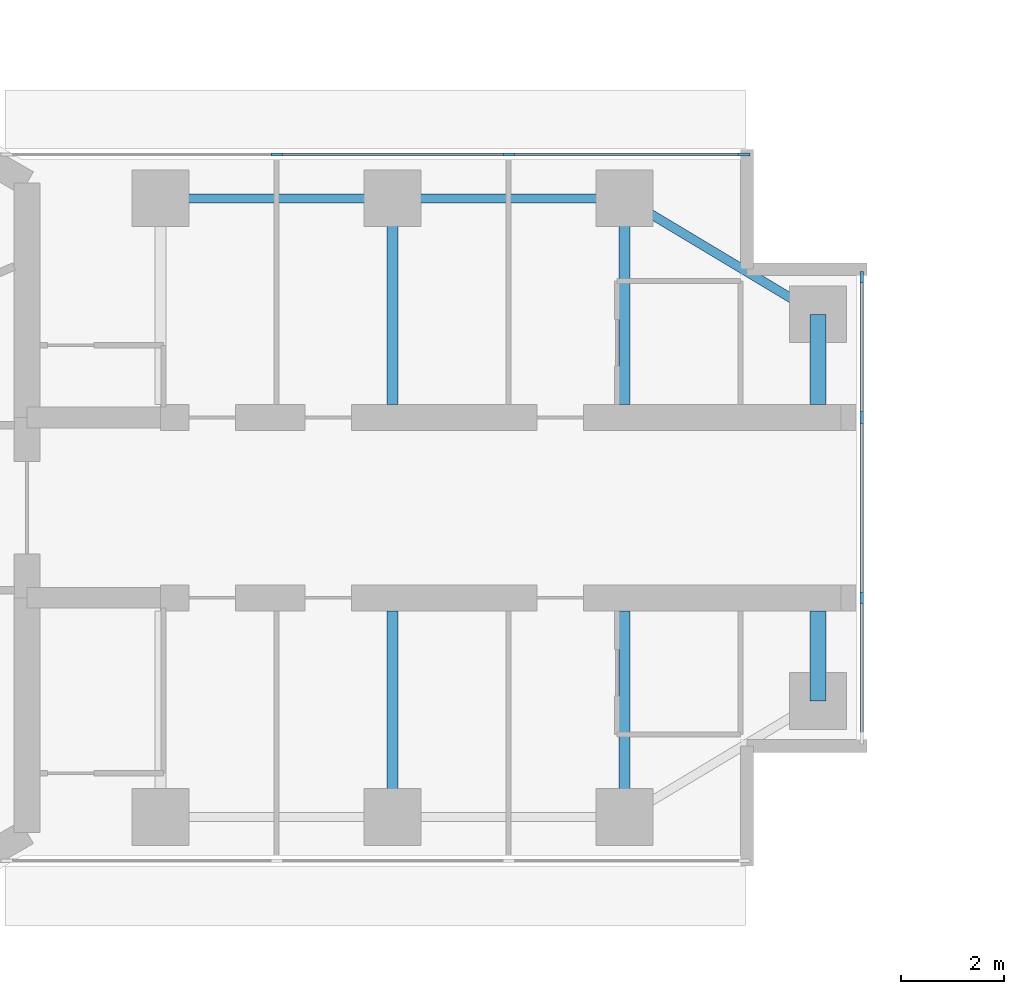
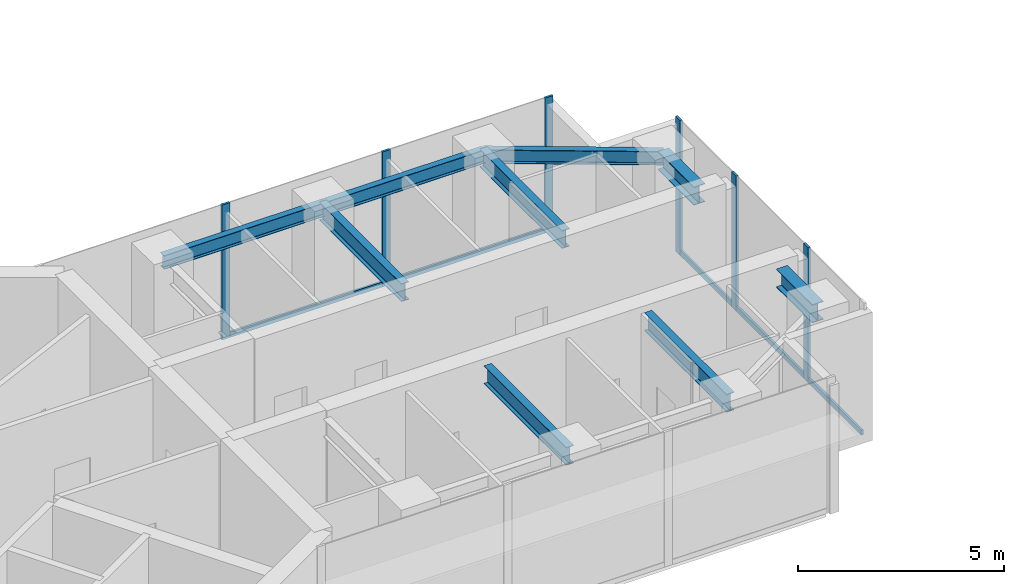
# One storey, part 7 of 18: 11 members, 9 beams, 2 elements without a shape of their own.
"""IFC4 building model written with IfcOpenShell, lengths in metres."""

from ifc_helpers import new_model, si_unit, direction, frame, origin, origin_2d, place, context, subcontext, project, spatial, rectangle, i_section, extrude, material, material_profile, profile_set, type_object, element, aggregate, save


model = new_model("IFC4")

# Units and contexts
model_context = context("Model", 3, precision=1e-05, world=origin(), true_north=direction((0.0, 1.0)))
body_context = subcontext(model_context, "Body", "Model", "MODEL_VIEW")
ifc_project = project(units=[si_unit("LENGTHUNIT", "METRE"), si_unit("AREAUNIT", "SQUARE_METRE"), si_unit("VOLUMEUNIT", "CUBIC_METRE"), si_unit("PLANEANGLEUNIT", "RADIAN"), si_unit("MASSUNIT", "GRAM", prefix="KILO")], contexts=[model_context])

# Site, building, storey
site_placement = place(None, origin())
site = spatial("IfcSite", under=ifc_project, at=site_placement, CompositionType="ELEMENT")
building_placement = place(site_placement, origin())
building = spatial("IfcBuilding", under=site, at=building_placement, Name="Upepo Twin Towers", CompositionType="ELEMENT")
storey_placement = place(building_placement, frame((0.0, 0.0, 218.5)))
storey = spatial("IfcBuildingStorey", under=building, at=storey_placement, Name="L53", CompositionType="ELEMENT", Elevation=218.5)

# Beams
ifc_material_1 = material(Name="Steel S355", Category="steel")
ifc_material_profile_1 = material_profile(ifc_material_1, i_section(OverallWidth=0.177978515625, OverallDepth=0.406494140625, WebThickness=0.0078125, FlangeThickness=0.0126953125, FilletRadius=0.01025390625, at=origin_2d()), Name="UB 406x178x60")
ifc_profile_set_1 = profile_set([ifc_material_profile_1], Name="Steel S355")
beam_type_1 = type_object("IfcBeamType", Name="Beam UB 406x178x60", PredefinedType="BEAM", material=ifc_profile_set_1)
for number, where, z_axis, x_axis, name in (
    (1, (13.5, 6.0, 3.5966796875), (1.0, 0.0, 0.0), (0.0, 1.0, 0.0), "T1 edge beam AL 13.5-18.0"),
    (2, (18.0, 6.0, 3.5966796875), (1.0, 0.0, 0.0), (0.0, 1.0, 0.0), "T1 edge beam AL 18.0-22.5"),
):
    element("IfcBeam", number, at=place(storey_placement, frame(where, z_axis=z_axis, x_axis=x_axis)), inside=storey, type_object=beam_type_1, Name=name, PredefinedType="BEAM", context=body_context, shape_type="SweptSolid", body=[
        extrude(i_section(OverallWidth=0.177978515625, OverallDepth=0.406494140625, WebThickness=0.0078125, FlangeThickness=0.0126953125, FilletRadius=0.01025390625, at=origin_2d()), origin(), (0.0, 0.0, 1.0), 4.5),
    ])
beam_placement = place(storey_placement, frame((22.5, 6.0, 3.5966796875), z_axis=(0.857492925713, -0.514495755428, 0.0), x_axis=(0.514495755428, 0.857492925713, 0.0)))
element("IfcBeam", 3, at=beam_placement, inside=storey, type_object=beam_type_1, Name="T1 nose edge beam AL", PredefinedType="BEAM", context=body_context, shape_type="SweptSolid", body=[
    extrude(i_section(OverallWidth=0.177978515625, OverallDepth=0.406494140625, WebThickness=0.0078125, FlangeThickness=0.0126953125, FilletRadius=0.01025390625, at=origin_2d()), origin(), (0.0, 0.0, 1.0), 4.373291015625),
])
ifc_material_2 = material(Name="Steel S355", Category="steel")
ifc_material_profile_2 = material_profile(ifc_material_2, i_section(OverallWidth=0.209228515625, OverallDepth=0.533203125, WebThickness=0.010009765625, FlangeThickness=0.015625, FilletRadius=0.0126953125, at=origin_2d()), Name="UB 533x210x92")
ifc_profile_set_2 = profile_set([ifc_material_profile_2], Name="Steel S355")
beam_type_2 = type_object("IfcBeamType", Name="Beam UB 533x210x92", PredefinedType="BEAM", material=ifc_profile_set_2)
for number, where, z_axis, x_axis, name in (
    (4, (18.0, 6.0, 3.533447265625), (0.0, -1.0, 0.0), (1.0, 0.0, 0.0), "T1 girder AL at 18.0"),
    (5, (22.5, 6.0, 3.533447265625), (0.0, -1.0, 0.0), (1.0, 0.0, 0.0), "T1 girder AL at 22.5"),
    (6, (18.0, -6.0, 3.533447265625), (0.0, 1.0, 0.0), (-1.0, 0.0, 0.0), "T1 girder AR at 18.0"),
    (7, (22.5, -6.0, 3.533447265625), (0.0, 1.0, 0.0), (-1.0, 0.0, 0.0), "T1 girder AR at 22.5"),
):
    element("IfcBeam", number, at=place(storey_placement, frame(where, z_axis=z_axis, x_axis=x_axis)), inside=storey, type_object=beam_type_2, Name=name, PredefinedType="BEAM", context=body_context, shape_type="SweptSolid", body=[
        extrude(i_section(OverallWidth=0.209228515625, OverallDepth=0.533203125, WebThickness=0.010009765625, FlangeThickness=0.015625, FilletRadius=0.0126953125, at=origin_2d()), origin(), (0.0, 0.0, 1.0), 4.0),
    ])
ifc_material_3 = material(Name="Steel S355", Category="steel")
ifc_material_profile_3 = material_profile(ifc_material_3, i_section(OverallWidth=0.31201171875, OverallDepth=0.54345703125, WebThickness=0.0126953125, FlangeThickness=0.020263671875, FilletRadius=0.0126953125, at=origin_2d()), Name="UB 533x312x150")
ifc_profile_set_3 = profile_set([ifc_material_profile_3], Name="Steel S355")
beam_type_3 = type_object("IfcBeamType", Name="Beam UB 533x312x150", PredefinedType="BEAM", material=ifc_profile_set_3)
for number, where, z_axis, x_axis, name in (
    (8, (26.25, 3.75, 3.5283203125), (0.0, -1.0, 0.0), (1.0, 0.0, 0.0), "T1 nose beam AL"),
    (9, (26.25, -3.75, 3.5283203125), (0.0, 1.0, 0.0), (-1.0, 0.0, 0.0), "T1 nose beam AR"),
):
    element("IfcBeam", number, at=place(storey_placement, frame(where, z_axis=z_axis, x_axis=x_axis)), inside=storey, type_object=beam_type_3, Name=name, PredefinedType="BEAM", context=body_context, shape_type="SweptSolid", body=[
        extrude(i_section(OverallWidth=0.31201171875, OverallDepth=0.54345703125, WebThickness=0.0126953125, FlangeThickness=0.020263671875, FilletRadius=0.0126953125, at=origin_2d()), origin(), (0.0, 0.0, 1.0), 1.75),
    ])

# Curtain wall, members
ifc_material_4 = material(Name="Aluminium and fritted glass", Category="aluminium")
curtain_wall_type = type_object("IfcCurtainWallType", Name="Tower curtain wall TW3, fritted glass", PredefinedType="NOTDEFINED", material=ifc_material_4)
curtain_wall_1_placement = place(storey_placement, origin())
curtain_wall_1 = element("IfcCurtainWall", 10, at=curtain_wall_1_placement, inside=storey, type_object=curtain_wall_type, Name="T1 L53 wing A flank L curtain wall", PredefinedType="NOTDEFINED")
ifc_material_5 = material(Name="Aluminium mullion", Category="aluminium")
ifc_material_profile_4 = material_profile(ifc_material_5, rectangle(XDim=0.06494140625, YDim=0.22509765625, at=origin_2d()), Name="MULLION 65x225")
ifc_profile_set_4 = profile_set([ifc_material_profile_4], Name="Aluminium mullion")
member_type_1 = type_object("IfcMemberType", Name="Mullion 65x225 TW3", PredefinedType="MULLION", material=ifc_profile_set_4)
member_1_placement = place(storey_placement, frame((15.75, 6.85009765625, 0.0), z_axis=(0.0, 0.0, 1.0), x_axis=(0.0, 1.0, 0.0)))
member_1 = element("IfcMember", 11, at=member_1_placement, type_object=member_type_1, Name="T1 L53 wing A flank L curtain wall mullion 2", PredefinedType="MULLION", context=body_context, shape_type="SweptSolid", body=[
    extrude(rectangle(XDim=0.06494140625, YDim=0.22509765625, at=origin_2d()), origin(), (0.0, 0.0, 1.0), 4.0),
])
member_2_placement = place(storey_placement, frame((20.25, 6.85009765625, 0.0), z_axis=(0.0, 0.0, 1.0), x_axis=(0.0, 1.0, 0.0)))
member_2 = element("IfcMember", 12, at=member_2_placement, type_object=member_type_1, Name="T1 L53 wing A flank L curtain wall mullion 3", PredefinedType="MULLION", context=body_context, shape_type="SweptSolid", body=[
    extrude(rectangle(XDim=0.06494140625, YDim=0.22509765625, at=origin_2d()), origin(), (0.0, 0.0, 1.0), 4.0),
])
member_3_placement = place(storey_placement, frame((24.8173828125, 6.85009765625, 0.0), z_axis=(0.0, 0.0, 1.0), x_axis=(0.0, 1.0, 0.0)))
member_3 = element("IfcMember", 13, at=member_3_placement, type_object=member_type_1, Name="T1 L53 wing A flank L curtain wall mullion 4", PredefinedType="MULLION", context=body_context, shape_type="SweptSolid", body=[
    extrude(rectangle(XDim=0.06494140625, YDim=0.22509765625, at=origin_2d()), origin(), (0.0, 0.0, 1.0), 4.0),
])

curtain_wall_2_placement = place(storey_placement, origin())
curtain_wall_2 = element("IfcCurtainWall", 14, at=curtain_wall_2_placement, inside=storey, type_object=curtain_wall_type, Name="T1 L53 wing A nose curtain wall", PredefinedType="NOTDEFINED")
member_4_placement = place(storey_placement, frame((27.10009765625, -1.75, 0.0), z_axis=(0.0, 0.0, 1.0), x_axis=(-1.0, 0.0, 0.0)))
member_4 = element("IfcMember", 15, at=member_4_placement, type_object=member_type_1, Name="T1 L53 wing A nose curtain wall mullion 2", PredefinedType="MULLION", context=body_context, shape_type="SweptSolid", body=[
    extrude(rectangle(XDim=0.06494140625, YDim=0.22509765625, at=origin_2d()), origin(), (0.0, 0.0, 1.0), 4.0),
])
member_5_placement = place(storey_placement, frame((27.10009765625, 1.75, 0.0), z_axis=(0.0, 0.0, 1.0), x_axis=(-1.0, 0.0, 0.0)))
member_5 = element("IfcMember", 16, at=member_5_placement, type_object=member_type_1, Name="T1 L53 wing A nose curtain wall mullion 3", PredefinedType="MULLION", context=body_context, shape_type="SweptSolid", body=[
    extrude(rectangle(XDim=0.06494140625, YDim=0.22509765625, at=origin_2d()), origin(), (0.0, 0.0, 1.0), 4.0),
])
member_6_placement = place(storey_placement, frame((27.10009765625, 4.467529296875, 0.0), z_axis=(0.0, 0.0, 1.0), x_axis=(-1.0, 0.0, 0.0)))
member_6 = element("IfcMember", 17, at=member_6_placement, type_object=member_type_1, Name="T1 L53 wing A nose curtain wall mullion 4", PredefinedType="MULLION", context=body_context, shape_type="SweptSolid", body=[
    extrude(rectangle(XDim=0.06494140625, YDim=0.22509765625, at=origin_2d()), origin(), (0.0, 0.0, 1.0), 4.0),
])

# Member
ifc_material_6 = material(Name="Aluminium transom", Category="aluminium")
ifc_material_profile_5 = material_profile(ifc_material_6, rectangle(XDim=0.06494140625, YDim=0.14990234375, at=origin_2d()), Name="TRANSOM 65x150")
ifc_profile_set_5 = profile_set([ifc_material_profile_5], Name="Aluminium transom")
member_type_2 = type_object("IfcMemberType", Name="Transom 65x150 TW3", PredefinedType="USERDEFINED", material=ifc_profile_set_5)
member_7_placement = place(storey_placement, frame((15.782470703125, 6.85009765625, 0.074951171875), z_axis=(1.0, 0.0, 0.0), x_axis=(0.0, 1.0, 0.0)))
member_7 = element("IfcMember", 18, at=member_7_placement, type_object=member_type_2, Name="T1 L53 wing A flank L curtain wall transom 2", ObjectType="TRANSOM", PredefinedType="USERDEFINED", context=body_context, shape_type="SweptSolid", body=[
    extrude(rectangle(XDim=0.06494140625, YDim=0.14990234375, at=origin_2d()), origin(), (0.0, 0.0, 1.0), 4.43505859375),
])

member_8_placement = place(storey_placement, frame((20.282470703125, 6.85009765625, 0.074951171875), z_axis=(1.0, 0.0, 0.0), x_axis=(0.0, 1.0, 0.0)))
member_8 = element("IfcMember", 19, at=member_8_placement, type_object=member_type_2, Name="T1 L53 wing A flank L curtain wall transom 3", ObjectType="TRANSOM", PredefinedType="USERDEFINED", context=body_context, shape_type="SweptSolid", body=[
    extrude(rectangle(XDim=0.06494140625, YDim=0.14990234375, at=origin_2d()), origin(), (0.0, 0.0, 1.0), 4.50244140625),
])

aggregate(curtain_wall_1, [member_1, member_2, member_3, member_7, member_8])

member_9_placement = place(storey_placement, frame((27.10009765625, -4.43505859375, 0.074951171875), z_axis=(0.0, 1.0, 0.0), x_axis=(-1.0, 0.0, 0.0)))
member_9 = element("IfcMember", 20, at=member_9_placement, type_object=member_type_2, Name="T1 L53 wing A nose curtain wall transom 1", ObjectType="TRANSOM", PredefinedType="USERDEFINED", context=body_context, shape_type="SweptSolid", body=[
    extrude(rectangle(XDim=0.06494140625, YDim=0.14990234375, at=origin_2d()), origin(), (0.0, 0.0, 1.0), 2.652587890625),
])

member_10_placement = place(storey_placement, frame((27.10009765625, -1.717529296875, 0.074951171875), z_axis=(0.0, 1.0, 0.0), x_axis=(-1.0, 0.0, 0.0)))
member_10 = element("IfcMember", 21, at=member_10_placement, type_object=member_type_2, Name="T1 L53 wing A nose curtain wall transom 2", ObjectType="TRANSOM", PredefinedType="USERDEFINED", context=body_context, shape_type="SweptSolid", body=[
    extrude(rectangle(XDim=0.06494140625, YDim=0.14990234375, at=origin_2d()), origin(), (0.0, 0.0, 1.0), 3.43505859375),
])

member_11_placement = place(storey_placement, frame((27.10009765625, 1.782470703125, 0.074951171875), z_axis=(0.0, 1.0, 0.0), x_axis=(-1.0, 0.0, 0.0)))
member_11 = element("IfcMember", 22, at=member_11_placement, type_object=member_type_2, Name="T1 L53 wing A nose curtain wall transom 3", ObjectType="TRANSOM", PredefinedType="USERDEFINED", context=body_context, shape_type="SweptSolid", body=[
    extrude(rectangle(XDim=0.06494140625, YDim=0.14990234375, at=origin_2d()), origin(), (0.0, 0.0, 1.0), 2.652587890625),
])

aggregate(curtain_wall_2, [member_4, member_5, member_6, member_9, member_10, member_11])

save(model, "model.ifc")
